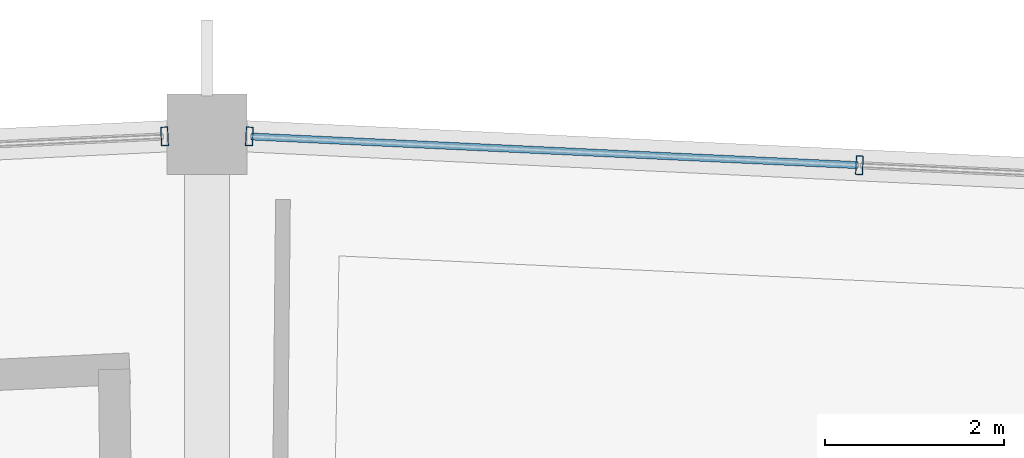
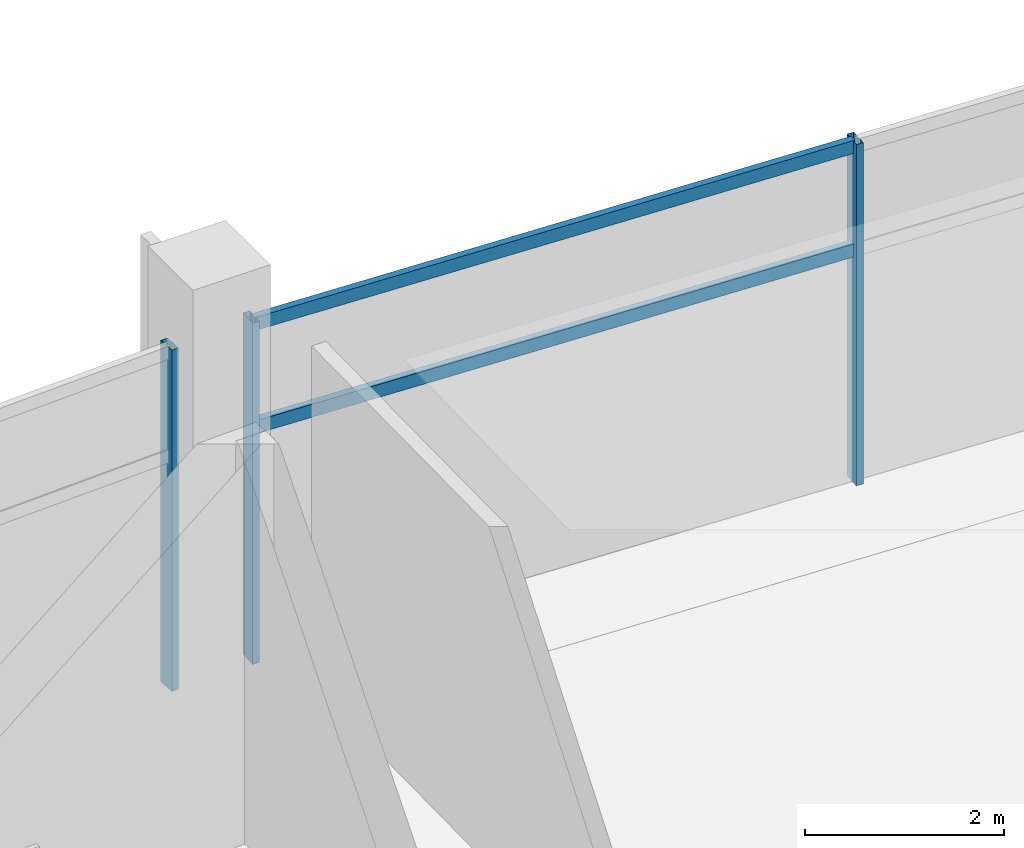
# One storey, part 122 of 184: 5 members, 2 elements without a shape of their own.
"""IFC4 building model written with IfcOpenShell, lengths in metres."""

from ifc_helpers import new_model, si_unit, direction, frame, origin, origin_2d, place, context, subcontext, project, spatial, hollow_rectangle, extrude, material, layer, layer_set, material_profile, profile_set, type_object, element, aggregate, save


model = new_model("IFC4")

# Units and contexts
model_context = context("Model", 3, precision=1e-05, world=origin(), true_north=direction((0.0, 1.0)))
body_context = subcontext(model_context, "Body", "Model", "MODEL_VIEW")
ifc_project = project(units=[si_unit("LENGTHUNIT", "METRE"), si_unit("AREAUNIT", "SQUARE_METRE"), si_unit("VOLUMEUNIT", "CUBIC_METRE"), si_unit("PLANEANGLEUNIT", "RADIAN"), si_unit("MASSUNIT", "GRAM", prefix="KILO")], contexts=[model_context])

# Site, building, storey
site_placement = place(None, origin())
site = spatial("IfcSite", under=ifc_project, at=site_placement, CompositionType="ELEMENT")
building_placement = place(site_placement, origin())
building = spatial("IfcBuilding", under=site, at=building_placement, Name="Kazemori Nagisa Stadium", CompositionType="ELEMENT")
storey_placement = place(building_placement, frame((0.0, 0.0, 10.5400390625)))
storey = spatial("IfcBuildingStorey", under=building, at=storey_placement, Name="L02", CompositionType="ELEMENT", Elevation=10.5400390625)

# Curtain wall, members
ifc_material_1 = material(Name="Anodised aluminium 6063-T5", Category="aluminium")
ifc_layer = layer(ifc_material_1, 0.2099609375, Name="Anodised aluminium 6063-T5", Category="aluminium")
ifc_layer_set = layer_set([ifc_layer], Name="Anodised aluminium 6063-T5")
curtain_wall_type = type_object("IfcCurtainWallType", Name="CW_L02R3_103", PredefinedType="USERDEFINED", material=ifc_layer_set)
curtain_wall_1_placement = place(storey_placement, origin())
curtain_wall_1 = element("IfcCurtainWall", 1, at=curtain_wall_1_placement, inside=storey, type_object=curtain_wall_type, Name="Unitised curtain wall CW-L02R3-103 L02", ObjectType="UNITISED CURTAIN WALL", PredefinedType="USERDEFINED")
ifc_material_2 = material(Name="Aluminium 6063-T5 anodised", Category="aluminium")
ifc_material_profile_1 = material_profile(ifc_material_2, hollow_rectangle(XDim=0.080078125, YDim=0.2099609375, WallThickness=0.0048828125, at=origin_2d()), Name="ALU-MULL-80x210x5")
ifc_profile_set_1 = profile_set([ifc_material_profile_1], Name="Aluminium 6063-T5 anodised")
member_type_1 = type_object("IfcMemberType", Name="Mullion_M02", PredefinedType="MULLION", material=ifc_profile_set_1)
member_1_placement = place(storey_placement, frame((130.30078125, 187.65478515625, 0.0), z_axis=(0.0, 0.0, 1.0), x_axis=(-0.998884022476, 0.047230388971, 0.0)))
member_1 = element("IfcMember", 2, at=member_1_placement, type_object=member_type_1, Name="Curtain wall mullion CW-L02R3-103-M3", PredefinedType="MULLION", context=body_context, shape_type="SweptSolid", body=[
    extrude(hollow_rectangle(XDim=0.080078125, YDim=0.2099609375, WallThickness=0.0048828125, at=origin_2d()), origin(), (0.0, 0.0, 1.0), 4.18994140625),
])
member_2_placement = place(storey_placement, frame((123.474365234375, 187.9775390625, 0.0), z_axis=(0.0, 0.0, 1.0), x_axis=(-0.998884022476, 0.047230388971, 0.0)))
member_2 = element("IfcMember", 3, at=member_2_placement, type_object=member_type_1, Name="Curtain wall mullion CW-L02R3-103-M4", PredefinedType="MULLION", context=body_context, shape_type="SweptSolid", body=[
    extrude(hollow_rectangle(XDim=0.080078125, YDim=0.2099609375, WallThickness=0.0048828125, at=origin_2d()), origin(), (0.0, 0.0, 1.0), 4.18994140625),
])

# Curtain wall, member
curtain_wall_2_placement = place(storey_placement, origin())
curtain_wall_2 = element("IfcCurtainWall", 4, at=curtain_wall_2_placement, inside=storey, type_object=curtain_wall_type, Name="Unitised curtain wall CW-L02R3-103 L02", ObjectType="UNITISED CURTAIN WALL", PredefinedType="USERDEFINED")
member_3_placement = place(storey_placement, frame((122.525634765625, 187.9775390625, 0.0), z_axis=(0.0, 0.0, 1.0), x_axis=(-0.998884022476, -0.047230388971, 0.0)))
member_3 = element("IfcMember", 5, at=member_3_placement, type_object=member_type_1, Name="Curtain wall mullion CW-L02R3-103-M1", PredefinedType="MULLION", context=body_context, shape_type="SweptSolid", body=[
    extrude(hollow_rectangle(XDim=0.080078125, YDim=0.2099609375, WallThickness=0.0048828125, at=origin_2d()), origin(), (0.0, 0.0, 1.0), 4.18994140625),
])
aggregate(curtain_wall_2, [member_3])

# Member
ifc_material_profile_2 = material_profile(ifc_material_2, hollow_rectangle(XDim=0.080078125, YDim=0.159912109375, WallThickness=0.00390625, at=origin_2d()), Name="ALU-TRAN-80x160x4")
ifc_profile_set_2 = profile_set([ifc_material_profile_2], Name="Aluminium 6063-T5 anodised")
member_type_2 = type_object("IfcMemberType", Name="Transom_T02", PredefinedType="USERDEFINED", material=ifc_profile_set_2)
member_4_placement = place(storey_placement, frame((130.28076171875, 187.65576171875, 2.84912109375), z_axis=(-0.998884581669, 0.047218561007, 0.0), x_axis=(-0.047218561007, -0.998884581669, 0.0)))
member_4 = element("IfcMember", 6, at=member_4_placement, type_object=member_type_2, Name="Curtain wall transom CW-L02R3-103-T3-mid", ObjectType="TRANSOM", PredefinedType="USERDEFINED", context=body_context, shape_type="SweptSolid", body=[
    extrude(hollow_rectangle(XDim=0.080078125, YDim=0.159912109375, WallThickness=0.00390625, at=origin_2d()), origin(), (0.0, 0.0, 1.0), 6.7939453125),
])

member_5_placement = place(storey_placement, frame((130.28076171875, 187.65576171875, 4.119873046875), z_axis=(-0.998884581669, 0.047218561007, 0.0), x_axis=(-0.047218561007, -0.998884581669, 0.0)))
member_5 = element("IfcMember", 7, at=member_5_placement, type_object=member_type_2, Name="Curtain wall transom CW-L02R3-103-T3-head", ObjectType="TRANSOM", PredefinedType="USERDEFINED", context=body_context, shape_type="SweptSolid", body=[
    extrude(hollow_rectangle(XDim=0.080078125, YDim=0.159912109375, WallThickness=0.00390625, at=origin_2d()), origin(), (0.0, 0.0, 1.0), 6.7939453125),
])

aggregate(curtain_wall_1, [member_1, member_2, member_4, member_5])

save(model, "model.ifc")
